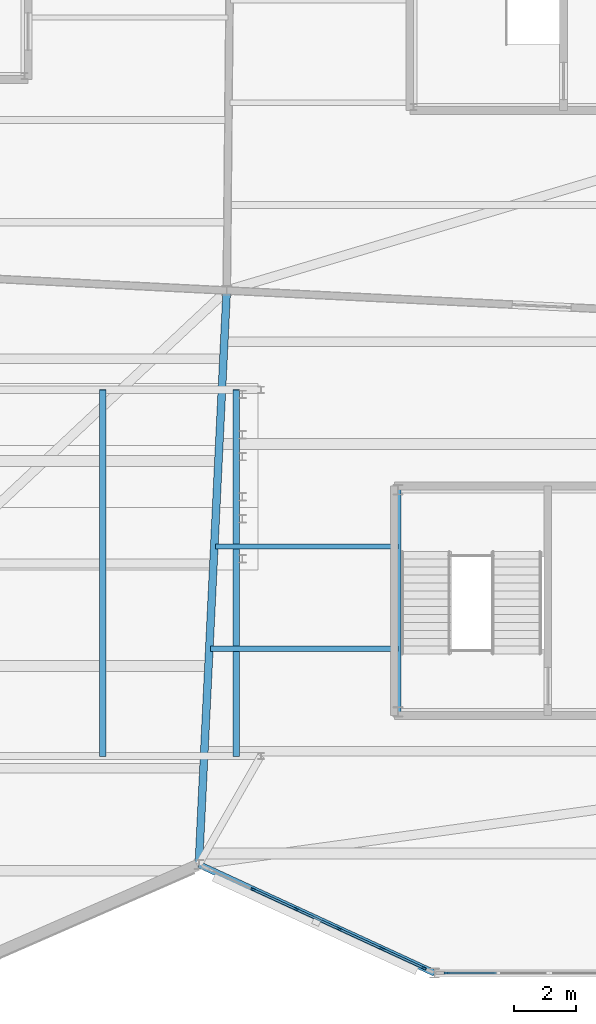
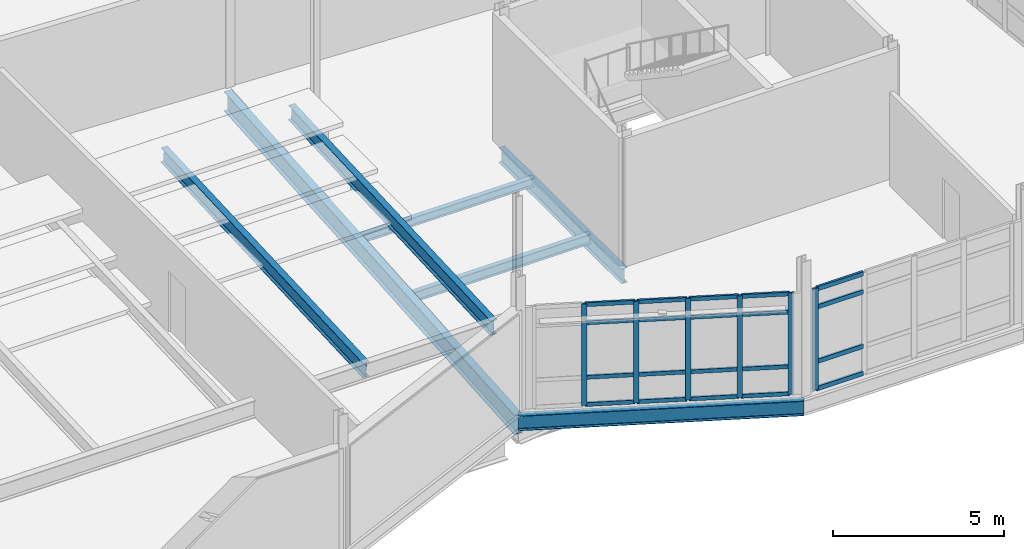
# One storey, part 25 of 134: 26 members, 7 beams, 2 elements without a shape of their own.
"""IFC4 building model written with IfcOpenShell, lengths in metres."""

from ifc_helpers import new_model, si_unit, direction, frame, origin, origin_2d, place, context, subcontext, project, spatial, rectangle, i_section, extrude, material, material_profile, profile_set, type_object, element, aggregate, save


model = new_model("IFC4")

# Units and contexts
model_context = context("Model", 3, precision=1e-05, world=origin(), true_north=direction((0.0, 1.0)))
body_context = subcontext(model_context, "Body", "Model", "MODEL_VIEW")
ifc_project = project(units=[si_unit("LENGTHUNIT", "METRE"), si_unit("AREAUNIT", "SQUARE_METRE"), si_unit("VOLUMEUNIT", "CUBIC_METRE"), si_unit("PLANEANGLEUNIT", "RADIAN"), si_unit("MASSUNIT", "GRAM", prefix="KILO")], contexts=[model_context])

# Site, building, storey
site_placement = place(None, origin())
site = spatial("IfcSite", under=ifc_project, at=site_placement, CompositionType="ELEMENT")
building_placement = place(site_placement, origin())
building = spatial("IfcBuilding", under=site, at=building_placement, Name="Tameran Prism Museum", CompositionType="ELEMENT")
storey_placement = place(building_placement, frame((0.0, 0.0, 5.39990234375)))
storey = spatial("IfcBuildingStorey", under=building, at=storey_placement, Name="L01", CompositionType="ELEMENT", Elevation=5.39990234375)

# Beams
ifc_material_1 = material(Name="Steel Grade 300PLUS (300 MPa)", Category="steel")
ifc_material_profile_1 = material_profile(ifc_material_1, i_section(OverallWidth=0.166015625, OverallDepth=0.306884765625, WebThickness=0.006591796875, FlangeThickness=0.01171875, FilletRadius=0.011474609375, at=origin_2d()))
ifc_profile_set_1 = profile_set([ifc_material_profile_1])
beam_type_1 = type_object("IfcBeamType", Name="BM-J310A", PredefinedType="JOIST", material=ifc_profile_set_1)
beam_1_placement = place(storey_placement, frame((23.138916015625, 13.75, -0.353515625), z_axis=(1.0, 0.0, 0.0), x_axis=(0.0, 1.0, 0.0)))
element("IfcBeam", 1, at=beam_1_placement, inside=storey, type_object=beam_type_1, Name="Floor Beam BM-0593", PredefinedType="JOIST", context=body_context, shape_type="SweptSolid", body=[
    extrude(i_section(OverallWidth=0.166015625, OverallDepth=0.306884765625, WebThickness=0.006591796875, FlangeThickness=0.01171875, FilletRadius=0.011474609375, at=origin_2d()), origin(), (0.0, 0.0, 1.0), 5.881103515625),
])
ifc_material_2 = material(Name="Steel Grade 300PLUS (300 MPa)", Category="steel")
ifc_material_profile_2 = material_profile(ifc_material_2, i_section(OverallWidth=0.1708984375, OverallDepth=0.35595703125, WebThickness=0.00732421875, FlangeThickness=0.011474609375, FilletRadius=0.011474609375, at=origin_2d()))
ifc_profile_set_2 = profile_set([ifc_material_profile_2])
beam_type_2 = type_object("IfcBeamType", Name="BM-J360B", PredefinedType="JOIST", material=ifc_profile_set_2)
beam_2_placement = place(storey_placement, frame((22.97802734375, 10.449951171875, -0.3779296875), z_axis=(1.0, 0.0, 0.0), x_axis=(0.0, 1.0, 0.0)))
element("IfcBeam", 2, at=beam_2_placement, inside=storey, type_object=beam_type_2, Name="Floor Beam BM-0591", PredefinedType="JOIST", context=body_context, shape_type="SweptSolid", body=[
    extrude(i_section(OverallWidth=0.1708984375, OverallDepth=0.35595703125, WebThickness=0.00732421875, FlangeThickness=0.011474609375, FilletRadius=0.011474609375, at=origin_2d()), origin(), (0.0, 0.0, 1.0), 6.0419921875),
])
ifc_material_3 = material(Name="Steel Grade 300PLUS (300 MPa)", Category="steel")
ifc_material_profile_3 = material_profile(ifc_material_3, i_section(OverallWidth=0.208984375, OverallDepth=0.532958984375, WebThickness=0.01025390625, FlangeThickness=0.015625, FilletRadius=0.013916015625, at=origin_2d()))
ifc_profile_set_3 = profile_set([ifc_material_profile_3])
beam_type_3 = type_object("IfcBeamType", Name="BM-RAK530", PredefinedType="USERDEFINED", material=ifc_profile_set_3)
for number, where, z_axis, x_axis, name in (
    (3, (19.5, 7.0, 0.340087890625), (0.0, 0.998954386522, 0.045717979496), (-1.0, 0.0, 0.0), "Auditorium Raker Beam RK-1450"),
    (4, (23.800048828125, 7.0, 0.340087890625), (0.0, 0.998954386522, 0.045717979496), (-1.0, 0.0, 0.0), "Auditorium Raker Beam RK-1451"),
):
    element("IfcBeam", number, at=place(storey_placement, frame(where, z_axis=z_axis, x_axis=x_axis)), inside=storey, type_object=beam_type_3, Name=name, ObjectType="RAKER", PredefinedType="USERDEFINED", context=body_context, shape_type="SweptSolid", body=[
        extrude(i_section(OverallWidth=0.208984375, OverallDepth=0.532958984375, WebThickness=0.01025390625, FlangeThickness=0.015625, FilletRadius=0.013916015625, at=origin_2d()), origin(), (0.0, 0.0, 1.0), 11.8125),
    ])
ifc_material_4 = material(Name="Steel Grade 300PLUS (300 MPa)", Category="steel")
ifc_material_profile_4 = material_profile(ifc_material_4, i_section(OverallWidth=0.208984375, OverallDepth=0.528076171875, WebThickness=0.009521484375, FlangeThickness=0.01318359375, FilletRadius=0.013916015625, at=origin_2d()))
ifc_profile_set_4 = profile_set([ifc_material_profile_4])
beam_type_4 = type_object("IfcBeamType", Name="BM-SP530B", PredefinedType="SPANDREL", material=ifc_profile_set_4)
beam_3_placement = place(storey_placement, frame((22.60009765625, 3.5, -0.4638671875), z_axis=(0.908305802849, -0.41830678755, 0.0), x_axis=(0.41830678755, 0.908305802849, 0.0)))
element("IfcBeam", 5, at=beam_3_placement, inside=storey, type_object=beam_type_4, Name="Perimeter Spandrel SP-0391", PredefinedType="SPANDREL", context=body_context, shape_type="SweptSolid", body=[
    extrude(i_section(OverallWidth=0.208984375, OverallDepth=0.528076171875, WebThickness=0.009521484375, FlangeThickness=0.01318359375, FilletRadius=0.013916015625, at=origin_2d()), origin(), (0.0, 0.0, 1.0), 8.366943359375),
])
beam_4_placement = place(storey_placement, frame((29.02001953125, 15.580078125, -0.50390625), z_axis=(0.0, -1.0, 0.0), x_axis=(1.0, 0.0, 0.0)))
element("IfcBeam", 6, at=beam_4_placement, inside=storey, type_object=beam_type_4, Name="Core Ring Beam CTB-0469", PredefinedType="SPANDREL", context=body_context, shape_type="SweptSolid", body=[
    extrude(i_section(OverallWidth=0.208984375, OverallDepth=0.528076171875, WebThickness=0.009521484375, FlangeThickness=0.01318359375, FilletRadius=0.013916015625, at=origin_2d()), origin(), (0.0, 0.0, 1.0), 7.16015625),
])
ifc_material_5 = material(Name="Steel Grade 350 (350 MPa)", Category="steel")
ifc_material_profile_5 = material_profile(ifc_material_5, i_section(OverallWidth=0.25, OverallDepth=0.699951171875, WebThickness=0.010009765625, FlangeThickness=0.02001953125, at=origin_2d()))
ifc_profile_set_5 = profile_set([ifc_material_profile_5])
beam_type_5 = type_object("IfcBeamType", Name="BM-SP700", PredefinedType="SPANDREL", material=ifc_profile_set_5)
beam_5_placement = place(storey_placement, frame((22.60009765625, 3.5, -0.5498046875), z_axis=(0.048585922438, 0.998819006698, 0.0), x_axis=(-0.998819006698, 0.048585922438, 0.0)))
element("IfcBeam", 7, at=beam_5_placement, inside=storey, type_object=beam_type_5, Name="Perimeter Spandrel SP-0389", PredefinedType="SPANDREL", context=body_context, shape_type="SweptSolid", body=[
    extrude(i_section(OverallWidth=0.25, OverallDepth=0.699951171875, WebThickness=0.010009765625, FlangeThickness=0.02001953125, at=origin_2d()), origin(), (0.0, 0.0, 1.0), 18.52197265625),
])

# Curtain wall, members
ifc_material_6 = material(Name="Anodised Aluminium 6063-T6 and Cyclone Solar Glass", Category="aluminium")
curtain_wall_type_1 = type_object("IfcCurtainWallType", Name="CW-FAC-761x362", PredefinedType="USERDEFINED", material=ifc_material_6)
curtain_wall_1_placement = place(storey_placement, origin())
curtain_wall_1 = element("IfcCurtainWall", 8, at=curtain_wall_1_placement, inside=storey, type_object=curtain_wall_type_1, Name="Unitised Curtain Wall CW-083", ObjectType="UNITISED CURTAIN WALL", PredefinedType="USERDEFINED")
ifc_material_7 = material(Name="Anodised Aluminium Alloy 6063-T6", Category="aluminium")
ifc_material_profile_6 = material_profile(ifc_material_7, rectangle(XDim=0.06494140625, YDim=0.159912109375, at=origin_2d()))
ifc_profile_set_6 = profile_set([ifc_material_profile_6])
member_type_1 = type_object("IfcMemberType", Name="CW-MUL-A", PredefinedType="MULLION", material=ifc_profile_set_6)
member_1_placement = place(storey_placement, frame((29.8525390625, 0.15966796875, 0.0), z_axis=(0.0, 0.0, 1.0), x_axis=(-0.418382893697, -0.908270749425, 0.0)))
member_1 = element("IfcMember", 9, at=member_1_placement, type_object=member_type_1, Name="CW-083 mullion 1", PredefinedType="MULLION", context=body_context, shape_type="SweptSolid", body=[
    extrude(rectangle(XDim=0.06494140625, YDim=0.159912109375, at=origin_2d()), origin(), (0.0, 0.0, 1.0), 3.6201171875),
])
member_2_placement = place(storey_placement, frame((28.5, 0.78271484375, 0.0), z_axis=(0.0, 0.0, 1.0), x_axis=(-0.418382893697, -0.908270749425, 0.0)))
member_2 = element("IfcMember", 10, at=member_2_placement, type_object=member_type_1, Name="CW-083 mullion 2", PredefinedType="MULLION", context=body_context, shape_type="SweptSolid", body=[
    extrude(rectangle(XDim=0.06494140625, YDim=0.159912109375, at=origin_2d()), origin(), (0.0, 0.0, 1.0), 3.6201171875),
])
member_3_placement = place(storey_placement, frame((27.117919921875, 1.419189453125, 0.0), z_axis=(0.0, 0.0, 1.0), x_axis=(-0.418382893697, -0.908270749425, 0.0)))
member_3 = element("IfcMember", 11, at=member_3_placement, type_object=member_type_1, Name="CW-083 mullion 3", PredefinedType="MULLION", context=body_context, shape_type="SweptSolid", body=[
    extrude(rectangle(XDim=0.06494140625, YDim=0.159912109375, at=origin_2d()), origin(), (0.0, 0.0, 1.0), 3.6201171875),
])
member_4_placement = place(storey_placement, frame((25.736083984375, 2.055908203125, 0.0), z_axis=(0.0, 0.0, 1.0), x_axis=(-0.418382893697, -0.908270749425, 0.0)))
member_4 = element("IfcMember", 12, at=member_4_placement, type_object=member_type_1, Name="CW-083 mullion 4", PredefinedType="MULLION", context=body_context, shape_type="SweptSolid", body=[
    extrude(rectangle(XDim=0.06494140625, YDim=0.159912109375, at=origin_2d()), origin(), (0.0, 0.0, 1.0), 3.6201171875),
])
member_5_placement = place(storey_placement, frame((24.35400390625, 2.6923828125, 0.0), z_axis=(0.0, 0.0, 1.0), x_axis=(-0.418382893697, -0.908270749425, 0.0)))
member_5 = element("IfcMember", 13, at=member_5_placement, type_object=member_type_1, Name="CW-083 mullion 5", PredefinedType="MULLION", context=body_context, shape_type="SweptSolid", body=[
    extrude(rectangle(XDim=0.06494140625, YDim=0.159912109375, at=origin_2d()), origin(), (0.0, 0.0, 1.0), 3.6201171875),
])

# Curtain wall, member
ifc_material_8 = material(Name="Anodised Aluminium 6063-T6 and Cyclone Solar Glass", Category="aluminium")
curtain_wall_type_2 = type_object("IfcCurtainWallType", Name="CW-FAC-670x362", PredefinedType="USERDEFINED", material=ifc_material_8)
curtain_wall_2_placement = place(storey_placement, origin())
curtain_wall_2 = element("IfcCurtainWall", 14, at=curtain_wall_2_placement, inside=storey, type_object=curtain_wall_type_2, Name="Unitised Curtain Wall CW-084", ObjectType="UNITISED CURTAIN WALL", PredefinedType="USERDEFINED")
ifc_material_9 = material(Name="Anodised Aluminium Alloy 6063-T6", Category="aluminium")
ifc_material_profile_7 = material_profile(ifc_material_9, rectangle(XDim=0.070068359375, YDim=0.179931640625, at=origin_2d()))
ifc_profile_set_7 = profile_set([ifc_material_profile_7])
member_type_2 = type_object("IfcMemberType", Name="CW-MUL-B", PredefinedType="MULLION", material=ifc_profile_set_7)
member_6_placement = place(storey_placement, frame((30.5849609375, 0.0, 0.0), z_axis=(0.0, 0.0, 1.0), x_axis=(0.0, -1.0, 0.0)))
member_6 = element("IfcMember", 15, at=member_6_placement, type_object=member_type_2, Name="CW-084 mullion 5", PredefinedType="MULLION", context=body_context, shape_type="SweptSolid", body=[
    extrude(rectangle(XDim=0.070068359375, YDim=0.179931640625, at=origin_2d()), origin(), (0.0, 0.0, 1.0), 3.6201171875),
])

# Member
ifc_material_10 = material(Name="Anodised Aluminium Alloy 6063-T6", Category="aluminium")
ifc_material_profile_8 = material_profile(ifc_material_10, rectangle(XDim=0.06494140625, YDim=0.139892578125, at=origin_2d()))
ifc_profile_set_8 = profile_set([ifc_material_profile_8])
member_type_3 = type_object("IfcMemberType", Name="CW-TRN-A", PredefinedType="USERDEFINED", material=ifc_profile_set_8)
member_7_placement = place(storey_placement, frame((29.822998046875, 0.173095703125, 0.03271484375), z_axis=(-0.908235147816, 0.418460172861, 0.0), x_axis=(-0.418460172861, -0.908235147816, 0.0)))
member_7 = element("IfcMember", 16, at=member_7_placement, type_object=member_type_3, Name="CW-083 transom 1.1", ObjectType="TRANSOM", PredefinedType="USERDEFINED", context=body_context, shape_type="SweptSolid", body=[
    extrude(rectangle(XDim=0.06494140625, YDim=0.139892578125, at=origin_2d()), origin(), (0.0, 0.0, 1.0), 1.424072265625),
])

member_8_placement = place(storey_placement, frame((29.822998046875, 0.173095703125, 1.0), z_axis=(-0.908235147816, 0.418460172861, 0.0), x_axis=(-0.418460172861, -0.908235147816, 0.0)))
member_8 = element("IfcMember", 17, at=member_8_placement, type_object=member_type_3, Name="CW-083 transom 1.2", ObjectType="TRANSOM", PredefinedType="USERDEFINED", context=body_context, shape_type="SweptSolid", body=[
    extrude(rectangle(XDim=0.06494140625, YDim=0.139892578125, at=origin_2d()), origin(), (0.0, 0.0, 1.0), 1.424072265625),
])

member_9_placement = place(storey_placement, frame((29.822998046875, 0.173095703125, 2.940185546875), z_axis=(-0.908235147816, 0.418460172861, 0.0), x_axis=(-0.418460172861, -0.908235147816, 0.0)))
member_9 = element("IfcMember", 18, at=member_9_placement, type_object=member_type_3, Name="CW-083 transom 1.3", ObjectType="TRANSOM", PredefinedType="USERDEFINED", context=body_context, shape_type="SweptSolid", body=[
    extrude(rectangle(XDim=0.06494140625, YDim=0.139892578125, at=origin_2d()), origin(), (0.0, 0.0, 1.0), 1.424072265625),
])

member_10_placement = place(storey_placement, frame((29.822998046875, 0.173095703125, 3.587646484375), z_axis=(-0.908235147816, 0.418460172861, 0.0), x_axis=(-0.418460172861, -0.908235147816, 0.0)))
member_10 = element("IfcMember", 19, at=member_10_placement, type_object=member_type_3, Name="CW-083 transom 1.4", ObjectType="TRANSOM", PredefinedType="USERDEFINED", context=body_context, shape_type="SweptSolid", body=[
    extrude(rectangle(XDim=0.06494140625, YDim=0.139892578125, at=origin_2d()), origin(), (0.0, 0.0, 1.0), 1.424072265625),
])

member_11_placement = place(storey_placement, frame((28.470458984375, 0.796142578125, 0.03271484375), z_axis=(-0.908282888493, 0.418356539893, 0.0), x_axis=(-0.418356539893, -0.908282888493, 0.0)))
member_11 = element("IfcMember", 20, at=member_11_placement, type_object=member_type_3, Name="CW-083 transom 2.1", ObjectType="TRANSOM", PredefinedType="USERDEFINED", context=body_context, shape_type="SweptSolid", body=[
    extrude(rectangle(XDim=0.06494140625, YDim=0.139892578125, at=origin_2d()), origin(), (0.0, 0.0, 1.0), 1.45654296875),
])

member_12_placement = place(storey_placement, frame((28.470458984375, 0.796142578125, 1.0), z_axis=(-0.908282888493, 0.418356539893, 0.0), x_axis=(-0.418356539893, -0.908282888493, 0.0)))
member_12 = element("IfcMember", 21, at=member_12_placement, type_object=member_type_3, Name="CW-083 transom 2.2", ObjectType="TRANSOM", PredefinedType="USERDEFINED", context=body_context, shape_type="SweptSolid", body=[
    extrude(rectangle(XDim=0.06494140625, YDim=0.139892578125, at=origin_2d()), origin(), (0.0, 0.0, 1.0), 1.45654296875),
])

member_13_placement = place(storey_placement, frame((28.470458984375, 0.796142578125, 2.940185546875), z_axis=(-0.908282888493, 0.418356539893, 0.0), x_axis=(-0.418356539893, -0.908282888493, 0.0)))
member_13 = element("IfcMember", 22, at=member_13_placement, type_object=member_type_3, Name="CW-083 transom 2.3", ObjectType="TRANSOM", PredefinedType="USERDEFINED", context=body_context, shape_type="SweptSolid", body=[
    extrude(rectangle(XDim=0.06494140625, YDim=0.139892578125, at=origin_2d()), origin(), (0.0, 0.0, 1.0), 1.45654296875),
])

member_14_placement = place(storey_placement, frame((28.470458984375, 0.796142578125, 3.587646484375), z_axis=(-0.908282888493, 0.418356539893, 0.0), x_axis=(-0.418356539893, -0.908282888493, 0.0)))
member_14 = element("IfcMember", 23, at=member_14_placement, type_object=member_type_3, Name="CW-083 transom 2.4", ObjectType="TRANSOM", PredefinedType="USERDEFINED", context=body_context, shape_type="SweptSolid", body=[
    extrude(rectangle(XDim=0.06494140625, YDim=0.139892578125, at=origin_2d()), origin(), (0.0, 0.0, 1.0), 1.45654296875),
])

member_15_placement = place(storey_placement, frame((27.08837890625, 1.432861328125, 0.03271484375), z_axis=(-0.908253546184, 0.418420238331, 0.0), x_axis=(-0.418420238331, -0.908253546184, 0.0)))
member_15 = element("IfcMember", 24, at=member_15_placement, type_object=member_type_3, Name="CW-083 transom 3.1", ObjectType="TRANSOM", PredefinedType="USERDEFINED", context=body_context, shape_type="SweptSolid", body=[
    extrude(rectangle(XDim=0.06494140625, YDim=0.139892578125, at=origin_2d()), origin(), (0.0, 0.0, 1.0), 1.456298828125),
])

member_16_placement = place(storey_placement, frame((27.08837890625, 1.432861328125, 1.0), z_axis=(-0.908253546184, 0.418420238331, 0.0), x_axis=(-0.418420238331, -0.908253546184, 0.0)))
member_16 = element("IfcMember", 25, at=member_16_placement, type_object=member_type_3, Name="CW-083 transom 3.2", ObjectType="TRANSOM", PredefinedType="USERDEFINED", context=body_context, shape_type="SweptSolid", body=[
    extrude(rectangle(XDim=0.06494140625, YDim=0.139892578125, at=origin_2d()), origin(), (0.0, 0.0, 1.0), 1.456298828125),
])

member_17_placement = place(storey_placement, frame((27.08837890625, 1.432861328125, 2.940185546875), z_axis=(-0.908253546184, 0.418420238331, 0.0), x_axis=(-0.418420238331, -0.908253546184, 0.0)))
member_17 = element("IfcMember", 26, at=member_17_placement, type_object=member_type_3, Name="CW-083 transom 3.3", ObjectType="TRANSOM", PredefinedType="USERDEFINED", context=body_context, shape_type="SweptSolid", body=[
    extrude(rectangle(XDim=0.06494140625, YDim=0.139892578125, at=origin_2d()), origin(), (0.0, 0.0, 1.0), 1.456298828125),
])

member_18_placement = place(storey_placement, frame((27.08837890625, 1.432861328125, 3.587646484375), z_axis=(-0.908253546184, 0.418420238331, 0.0), x_axis=(-0.418420238331, -0.908253546184, 0.0)))
member_18 = element("IfcMember", 27, at=member_18_placement, type_object=member_type_3, Name="CW-083 transom 3.4", ObjectType="TRANSOM", PredefinedType="USERDEFINED", context=body_context, shape_type="SweptSolid", body=[
    extrude(rectangle(XDim=0.06494140625, YDim=0.139892578125, at=origin_2d()), origin(), (0.0, 0.0, 1.0), 1.456298828125),
])

member_19_placement = place(storey_placement, frame((25.70654296875, 2.0693359375, 0.03271484375), z_axis=(-0.908282888493, 0.418356539893, 0.0), x_axis=(-0.418356539893, -0.908282888493, 0.0)))
member_19 = element("IfcMember", 28, at=member_19_placement, type_object=member_type_3, Name="CW-083 transom 4.1", ObjectType="TRANSOM", PredefinedType="USERDEFINED", context=body_context, shape_type="SweptSolid", body=[
    extrude(rectangle(XDim=0.06494140625, YDim=0.139892578125, at=origin_2d()), origin(), (0.0, 0.0, 1.0), 1.45654296875),
])

member_20_placement = place(storey_placement, frame((25.70654296875, 2.0693359375, 1.0), z_axis=(-0.908282888493, 0.418356539893, 0.0), x_axis=(-0.418356539893, -0.908282888493, 0.0)))
member_20 = element("IfcMember", 29, at=member_20_placement, type_object=member_type_3, Name="CW-083 transom 4.2", ObjectType="TRANSOM", PredefinedType="USERDEFINED", context=body_context, shape_type="SweptSolid", body=[
    extrude(rectangle(XDim=0.06494140625, YDim=0.139892578125, at=origin_2d()), origin(), (0.0, 0.0, 1.0), 1.45654296875),
])

member_21_placement = place(storey_placement, frame((25.70654296875, 2.0693359375, 2.940185546875), z_axis=(-0.908282888493, 0.418356539893, 0.0), x_axis=(-0.418356539893, -0.908282888493, 0.0)))
member_21 = element("IfcMember", 30, at=member_21_placement, type_object=member_type_3, Name="CW-083 transom 4.3", ObjectType="TRANSOM", PredefinedType="USERDEFINED", context=body_context, shape_type="SweptSolid", body=[
    extrude(rectangle(XDim=0.06494140625, YDim=0.139892578125, at=origin_2d()), origin(), (0.0, 0.0, 1.0), 1.45654296875),
])

member_22_placement = place(storey_placement, frame((25.70654296875, 2.0693359375, 3.587646484375), z_axis=(-0.908282888493, 0.418356539893, 0.0), x_axis=(-0.418356539893, -0.908282888493, 0.0)))
member_22 = element("IfcMember", 31, at=member_22_placement, type_object=member_type_3, Name="CW-083 transom 4.4", ObjectType="TRANSOM", PredefinedType="USERDEFINED", context=body_context, shape_type="SweptSolid", body=[
    extrude(rectangle(XDim=0.06494140625, YDim=0.139892578125, at=origin_2d()), origin(), (0.0, 0.0, 1.0), 1.45654296875),
])

aggregate(curtain_wall_1, [member_1, member_2, member_3, member_4, member_5, member_7, member_8, member_9, member_10, member_11, member_12, member_13, member_14, member_15, member_16, member_17, member_18, member_19, member_20, member_21, member_22])

ifc_material_11 = material(Name="Anodised Aluminium Alloy 6063-T6", Category="aluminium")
ifc_material_profile_9 = material_profile(ifc_material_11, rectangle(XDim=0.070068359375, YDim=0.155029296875, at=origin_2d()))
ifc_profile_set_9 = profile_set([ifc_material_profile_9])
member_type_4 = type_object("IfcMemberType", Name="CW-TRN-B", PredefinedType="USERDEFINED", material=ifc_profile_set_9)
member_23_placement = place(storey_placement, frame((32.18994140625, 0.0, 0.03515625), z_axis=(-1.0, 0.0, 0.0), x_axis=(0.0, -1.0, 0.0)))
member_23 = element("IfcMember", 32, at=member_23_placement, type_object=member_type_4, Name="CW-084 transom 4.1", ObjectType="TRANSOM", PredefinedType="USERDEFINED", context=body_context, shape_type="SweptSolid", body=[
    extrude(rectangle(XDim=0.070068359375, YDim=0.155029296875, at=origin_2d()), origin(), (0.0, 0.0, 1.0), 1.56982421875),
])

member_24_placement = place(storey_placement, frame((32.18994140625, 0.0, 1.0), z_axis=(-1.0, 0.0, 0.0), x_axis=(0.0, -1.0, 0.0)))
member_24 = element("IfcMember", 33, at=member_24_placement, type_object=member_type_4, Name="CW-084 transom 4.2", ObjectType="TRANSOM", PredefinedType="USERDEFINED", context=body_context, shape_type="SweptSolid", body=[
    extrude(rectangle(XDim=0.070068359375, YDim=0.155029296875, at=origin_2d()), origin(), (0.0, 0.0, 1.0), 1.56982421875),
])

member_25_placement = place(storey_placement, frame((32.18994140625, 0.0, 2.940185546875), z_axis=(-1.0, 0.0, 0.0), x_axis=(0.0, -1.0, 0.0)))
member_25 = element("IfcMember", 34, at=member_25_placement, type_object=member_type_4, Name="CW-084 transom 4.3", ObjectType="TRANSOM", PredefinedType="USERDEFINED", context=body_context, shape_type="SweptSolid", body=[
    extrude(rectangle(XDim=0.070068359375, YDim=0.155029296875, at=origin_2d()), origin(), (0.0, 0.0, 1.0), 1.56982421875),
])

member_26_placement = place(storey_placement, frame((32.18994140625, 0.0, 3.585205078125), z_axis=(-1.0, 0.0, 0.0), x_axis=(0.0, -1.0, 0.0)))
member_26 = element("IfcMember", 35, at=member_26_placement, type_object=member_type_4, Name="CW-084 transom 4.4", ObjectType="TRANSOM", PredefinedType="USERDEFINED", context=body_context, shape_type="SweptSolid", body=[
    extrude(rectangle(XDim=0.070068359375, YDim=0.155029296875, at=origin_2d()), origin(), (0.0, 0.0, 1.0), 1.56982421875),
])

aggregate(curtain_wall_2, [member_6, member_23, member_24, member_25, member_26])

save(model, "model.ifc")
